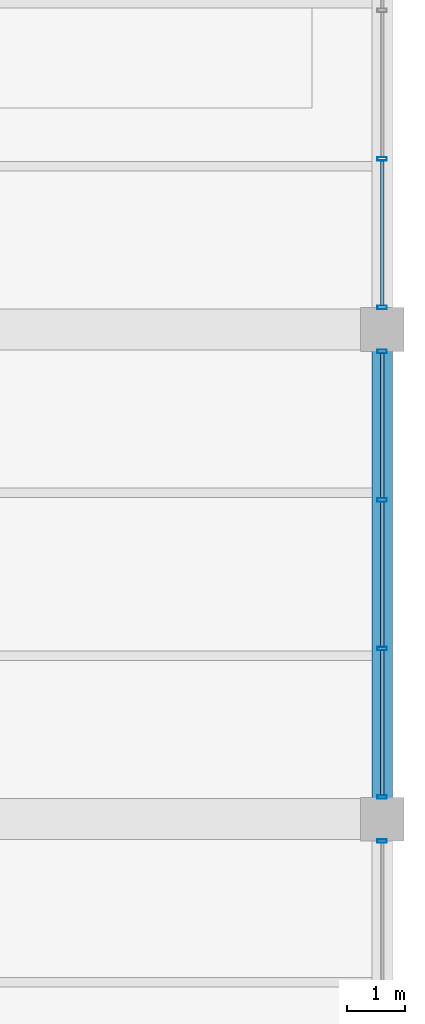
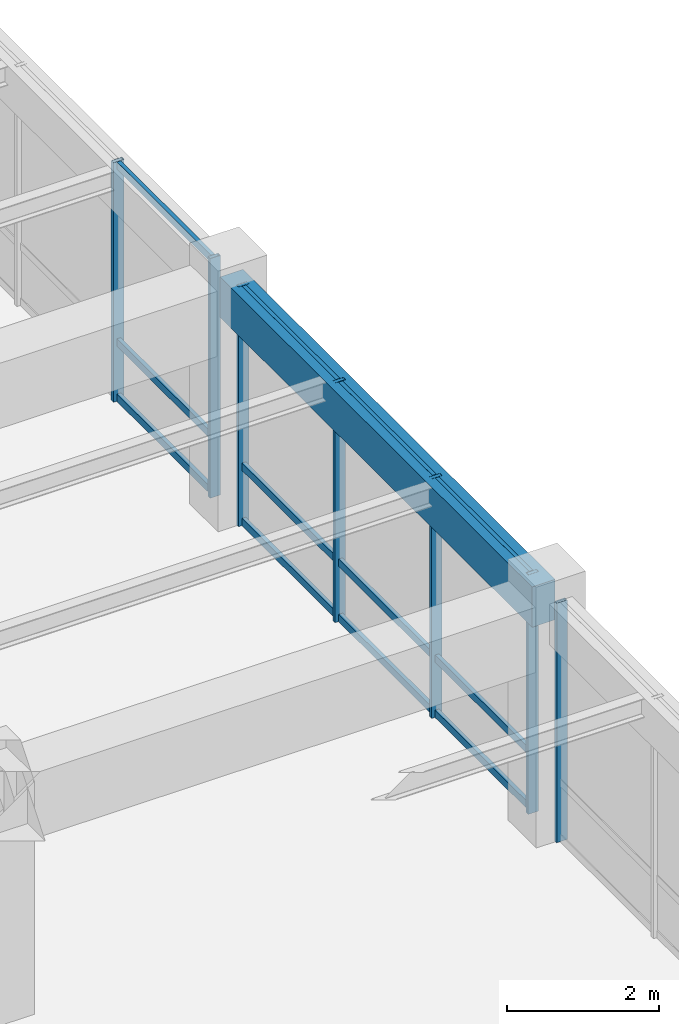
# One storey, part 101 of 152: 19 members, 1 beam, 3 elements without a shape of their own.
"""IFC4 building model written with IfcOpenShell, lengths in metres."""

from ifc_helpers import new_model, si_unit, direction, frame, origin, origin_2d, place, context, subcontext, project, spatial, rectangle, hollow_rectangle, extrude, material, material_profile, profile_set, type_object, element, aggregate, save


model = new_model("IFC4")

# Units and contexts
model_context = context("Model", 3, precision=1e-05, world=origin(), true_north=direction((0.0, 1.0)))
body_context = subcontext(model_context, "Body", "Model", "MODEL_VIEW")
ifc_project = project(units=[si_unit("LENGTHUNIT", "METRE"), si_unit("AREAUNIT", "SQUARE_METRE"), si_unit("VOLUMEUNIT", "CUBIC_METRE"), si_unit("PLANEANGLEUNIT", "RADIAN"), si_unit("MASSUNIT", "GRAM", prefix="KILO"), si_unit("THERMODYNAMICTEMPERATUREUNIT", "KELVIN"), si_unit("POWERUNIT", "WATT")], contexts=[model_context])

# Site, building, storey
site_placement = place(None, origin())
site = spatial("IfcSite", under=ifc_project, at=site_placement, CompositionType="ELEMENT")
building_placement = place(site_placement, origin())
building = spatial("IfcBuilding", under=site, at=building_placement, Name="Darbajah Civic Hall", CompositionType="ELEMENT")
storey_placement = place(building_placement, frame((0.0, 0.0, 5.39990234375)))
storey = spatial("IfcBuildingStorey", under=building, at=storey_placement, Name="L01", CompositionType="ELEMENT", Elevation=5.39990234375)

# Curtain wall, member
ifc_material_1 = material(Name="Anodised Bronze Aluminium and Low-E Glazing", Category="aluminium")
curtain_wall_type = type_object("IfcCurtainWallType", Name="Unitised Curtain Wall CW-96 7600x3850", PredefinedType="USERDEFINED", material=ifc_material_1)
curtain_wall_1_placement = place(storey_placement, origin())
curtain_wall_1 = element("IfcCurtainWall", 1, at=curtain_wall_1_placement, inside=storey, type_object=curtain_wall_type, Name="L01 unitised curtain wall CW-V4-L01-S1-B0", ObjectType="UNITISED CURTAIN WALL", PredefinedType="USERDEFINED")
ifc_material_2 = material(Name="Anodised Bronze Aluminium", Category="aluminium")
ifc_material_profile_1 = material_profile(ifc_material_2, hollow_rectangle(XDim=0.06005859375, YDim=0.159912109375, WallThickness=0.00341796875, at=origin_2d()), Name="ALU MULLION 60x160")
ifc_profile_set_1 = profile_set([ifc_material_profile_1], Name="Anodised Bronze Aluminium")
member_type_1 = type_object("IfcMemberType", Name="ALU MULLION 60x160", PredefinedType="MULLION", material=ifc_profile_set_1)
member_1_placement = place(storey_placement, frame((178.199951171875, 64.423095703125, 0.0), z_axis=(0.0, 0.0, 1.0), x_axis=(0.0, 1.0, 0.0)))
member_1 = element("IfcMember", 2, at=member_1_placement, type_object=member_type_1, Name="CW-V4-L01-S1-B0 mullion 4", PredefinedType="MULLION", context=body_context, shape_type="SweptSolid", body=[
    extrude(hollow_rectangle(XDim=0.06005859375, YDim=0.159912109375, WallThickness=0.00341796875, at=origin_2d()), origin(), (0.0, 0.0, 1.0), 3.860107421875),
])
aggregate(curtain_wall_1, [member_1])

# Curtain wall, members
curtain_wall_2_placement = place(storey_placement, origin())
curtain_wall_2 = element("IfcCurtainWall", 3, at=curtain_wall_2_placement, inside=storey, type_object=curtain_wall_type, Name="L01 unitised curtain wall CW-V4-L01-S1-B1", ObjectType="UNITISED CURTAIN WALL", PredefinedType="USERDEFINED")
member_2_placement = place(storey_placement, frame((178.199951171875, 65.177001953125, 0.0), z_axis=(0.0, 0.0, 1.0), x_axis=(0.0, 1.0, 0.0)))
member_2 = element("IfcMember", 4, at=member_2_placement, type_object=member_type_1, Name="CW-V4-L01-S1-B1 mullion 1", PredefinedType="MULLION", context=body_context, shape_type="SweptSolid", body=[
    extrude(hollow_rectangle(XDim=0.06005859375, YDim=0.159912109375, WallThickness=0.00341796875, at=origin_2d()), origin(), (0.0, 0.0, 1.0), 3.860107421875),
])
member_3_placement = place(storey_placement, frame((178.199951171875, 67.7255859375, 0.0), z_axis=(0.0, 0.0, 1.0), x_axis=(0.0, 1.0, 0.0)))
member_3 = element("IfcMember", 5, at=member_3_placement, type_object=member_type_1, Name="CW-V4-L01-S1-B1 mullion 2", PredefinedType="MULLION", context=body_context, shape_type="SweptSolid", body=[
    extrude(hollow_rectangle(XDim=0.06005859375, YDim=0.159912109375, WallThickness=0.00341796875, at=origin_2d()), origin(), (0.0, 0.0, 1.0), 3.860107421875),
])
member_4_placement = place(storey_placement, frame((178.199951171875, 70.2744140625, 0.0), z_axis=(0.0, 0.0, 1.0), x_axis=(0.0, 1.0, 0.0)))
member_4 = element("IfcMember", 6, at=member_4_placement, type_object=member_type_1, Name="CW-V4-L01-S1-B1 mullion 3", PredefinedType="MULLION", context=body_context, shape_type="SweptSolid", body=[
    extrude(hollow_rectangle(XDim=0.06005859375, YDim=0.159912109375, WallThickness=0.00341796875, at=origin_2d()), origin(), (0.0, 0.0, 1.0), 3.860107421875),
])
member_5_placement = place(storey_placement, frame((178.199951171875, 72.822998046875, 0.0), z_axis=(0.0, 0.0, 1.0), x_axis=(0.0, 1.0, 0.0)))
member_5 = element("IfcMember", 7, at=member_5_placement, type_object=member_type_1, Name="CW-V4-L01-S1-B1 mullion 4", PredefinedType="MULLION", context=body_context, shape_type="SweptSolid", body=[
    extrude(hollow_rectangle(XDim=0.06005859375, YDim=0.159912109375, WallThickness=0.00341796875, at=origin_2d()), origin(), (0.0, 0.0, 1.0), 3.860107421875),
])

curtain_wall_3_placement = place(storey_placement, origin())
curtain_wall_3 = element("IfcCurtainWall", 8, at=curtain_wall_3_placement, inside=storey, type_object=curtain_wall_type, Name="L01 unitised curtain wall CW-V4-L01-S1-B2", ObjectType="UNITISED CURTAIN WALL", PredefinedType="USERDEFINED")
member_6_placement = place(storey_placement, frame((178.199951171875, 73.576904296875, 0.0), z_axis=(0.0, 0.0, 1.0), x_axis=(0.0, 1.0, 0.0)))
member_6 = element("IfcMember", 9, at=member_6_placement, type_object=member_type_1, Name="CW-V4-L01-S1-B2 mullion 1", PredefinedType="MULLION", context=body_context, shape_type="SweptSolid", body=[
    extrude(hollow_rectangle(XDim=0.06005859375, YDim=0.159912109375, WallThickness=0.00341796875, at=origin_2d()), origin(), (0.0, 0.0, 1.0), 3.860107421875),
])
member_7_placement = place(storey_placement, frame((178.199951171875, 76.125732421875, 0.0), z_axis=(0.0, 0.0, 1.0), x_axis=(0.0, 1.0, 0.0)))
member_7 = element("IfcMember", 10, at=member_7_placement, type_object=member_type_1, Name="CW-V4-L01-S1-B2 mullion 2", PredefinedType="MULLION", context=body_context, shape_type="SweptSolid", body=[
    extrude(hollow_rectangle(XDim=0.06005859375, YDim=0.159912109375, WallThickness=0.00341796875, at=origin_2d()), origin(), (0.0, 0.0, 1.0), 3.860107421875),
])

# Member
ifc_material_profile_2 = material_profile(ifc_material_2, hollow_rectangle(XDim=0.06005859375, YDim=0.1201171875, WallThickness=0.003173828125, at=origin_2d()), Name="ALU TRANSOM 60x120")
ifc_profile_set_2 = profile_set([ifc_material_profile_2], Name="Anodised Bronze Aluminium")
member_type_2 = type_object("IfcMemberType", Name="ALU TRANSOM 60x120", PredefinedType="USERDEFINED", material=ifc_profile_set_2)
member_8_placement = place(storey_placement, frame((178.199951171875, 65.2119140625, 0.06005859375), z_axis=(0.0, 1.0, 0.0), x_axis=(-1.0, 0.0, 0.0)))
member_8 = element("IfcMember", 11, at=member_8_placement, type_object=member_type_2, Name="CW-V4-L01-S1-B1 transom 1.1", ObjectType="TRANSOM", PredefinedType="USERDEFINED", context=body_context, shape_type="SweptSolid", body=[
    extrude(hollow_rectangle(XDim=0.06005859375, YDim=0.1201171875, WallThickness=0.003173828125, at=origin_2d()), origin(), (0.0, 0.0, 1.0), 2.478759765625),
])

member_9_placement = place(storey_placement, frame((178.199951171875, 65.2119140625, 0.9501953125), z_axis=(0.0, 1.0, 0.0), x_axis=(-1.0, 0.0, 0.0)))
member_9 = element("IfcMember", 12, at=member_9_placement, type_object=member_type_2, Name="CW-V4-L01-S1-B1 transom 1.2", ObjectType="TRANSOM", PredefinedType="USERDEFINED", context=body_context, shape_type="SweptSolid", body=[
    extrude(hollow_rectangle(XDim=0.06005859375, YDim=0.1201171875, WallThickness=0.003173828125, at=origin_2d()), origin(), (0.0, 0.0, 1.0), 2.478759765625),
])

member_10_placement = place(storey_placement, frame((178.199951171875, 65.2119140625, 3.800048828125), z_axis=(0.0, 1.0, 0.0), x_axis=(-1.0, 0.0, 0.0)))
member_10 = element("IfcMember", 13, at=member_10_placement, type_object=member_type_2, Name="CW-V4-L01-S1-B1 transom 1.3", ObjectType="TRANSOM", PredefinedType="USERDEFINED", context=body_context, shape_type="SweptSolid", body=[
    extrude(hollow_rectangle(XDim=0.06005859375, YDim=0.1201171875, WallThickness=0.003173828125, at=origin_2d()), origin(), (0.0, 0.0, 1.0), 2.478759765625),
])

member_11_placement = place(storey_placement, frame((178.199951171875, 67.7607421875, 0.06005859375), z_axis=(0.0, 1.0, 0.0), x_axis=(-1.0, 0.0, 0.0)))
member_11 = element("IfcMember", 14, at=member_11_placement, type_object=member_type_2, Name="CW-V4-L01-S1-B1 transom 2.1", ObjectType="TRANSOM", PredefinedType="USERDEFINED", context=body_context, shape_type="SweptSolid", body=[
    extrude(hollow_rectangle(XDim=0.06005859375, YDim=0.1201171875, WallThickness=0.003173828125, at=origin_2d()), origin(), (0.0, 0.0, 1.0), 2.478515625),
])

member_12_placement = place(storey_placement, frame((178.199951171875, 67.7607421875, 0.9501953125), z_axis=(0.0, 1.0, 0.0), x_axis=(-1.0, 0.0, 0.0)))
member_12 = element("IfcMember", 15, at=member_12_placement, type_object=member_type_2, Name="CW-V4-L01-S1-B1 transom 2.2", ObjectType="TRANSOM", PredefinedType="USERDEFINED", context=body_context, shape_type="SweptSolid", body=[
    extrude(hollow_rectangle(XDim=0.06005859375, YDim=0.1201171875, WallThickness=0.003173828125, at=origin_2d()), origin(), (0.0, 0.0, 1.0), 2.478515625),
])

member_13_placement = place(storey_placement, frame((178.199951171875, 67.7607421875, 3.800048828125), z_axis=(0.0, 1.0, 0.0), x_axis=(-1.0, 0.0, 0.0)))
member_13 = element("IfcMember", 16, at=member_13_placement, type_object=member_type_2, Name="CW-V4-L01-S1-B1 transom 2.3", ObjectType="TRANSOM", PredefinedType="USERDEFINED", context=body_context, shape_type="SweptSolid", body=[
    extrude(hollow_rectangle(XDim=0.06005859375, YDim=0.1201171875, WallThickness=0.003173828125, at=origin_2d()), origin(), (0.0, 0.0, 1.0), 2.478515625),
])

member_14_placement = place(storey_placement, frame((178.199951171875, 70.309326171875, 0.06005859375), z_axis=(0.0, 1.0, 0.0), x_axis=(-1.0, 0.0, 0.0)))
member_14 = element("IfcMember", 17, at=member_14_placement, type_object=member_type_2, Name="CW-V4-L01-S1-B1 transom 3.1", ObjectType="TRANSOM", PredefinedType="USERDEFINED", context=body_context, shape_type="SweptSolid", body=[
    extrude(hollow_rectangle(XDim=0.06005859375, YDim=0.1201171875, WallThickness=0.003173828125, at=origin_2d()), origin(), (0.0, 0.0, 1.0), 2.478759765625),
])

member_15_placement = place(storey_placement, frame((178.199951171875, 70.309326171875, 0.9501953125), z_axis=(0.0, 1.0, 0.0), x_axis=(-1.0, 0.0, 0.0)))
member_15 = element("IfcMember", 18, at=member_15_placement, type_object=member_type_2, Name="CW-V4-L01-S1-B1 transom 3.2", ObjectType="TRANSOM", PredefinedType="USERDEFINED", context=body_context, shape_type="SweptSolid", body=[
    extrude(hollow_rectangle(XDim=0.06005859375, YDim=0.1201171875, WallThickness=0.003173828125, at=origin_2d()), origin(), (0.0, 0.0, 1.0), 2.478759765625),
])

member_16_placement = place(storey_placement, frame((178.199951171875, 70.309326171875, 3.800048828125), z_axis=(0.0, 1.0, 0.0), x_axis=(-1.0, 0.0, 0.0)))
member_16 = element("IfcMember", 19, at=member_16_placement, type_object=member_type_2, Name="CW-V4-L01-S1-B1 transom 3.3", ObjectType="TRANSOM", PredefinedType="USERDEFINED", context=body_context, shape_type="SweptSolid", body=[
    extrude(hollow_rectangle(XDim=0.06005859375, YDim=0.1201171875, WallThickness=0.003173828125, at=origin_2d()), origin(), (0.0, 0.0, 1.0), 2.478759765625),
])

aggregate(curtain_wall_2, [member_2, member_3, member_4, member_5, member_8, member_9, member_10, member_11, member_12, member_13, member_14, member_15, member_16])

member_17_placement = place(storey_placement, frame((178.199951171875, 73.612060546875, 0.06005859375), z_axis=(0.0, 1.0, 0.0), x_axis=(-1.0, 0.0, 0.0)))
member_17 = element("IfcMember", 20, at=member_17_placement, type_object=member_type_2, Name="CW-V4-L01-S1-B2 transom 1.1", ObjectType="TRANSOM", PredefinedType="USERDEFINED", context=body_context, shape_type="SweptSolid", body=[
    extrude(hollow_rectangle(XDim=0.06005859375, YDim=0.1201171875, WallThickness=0.003173828125, at=origin_2d()), origin(), (0.0, 0.0, 1.0), 2.478759765625),
])

member_18_placement = place(storey_placement, frame((178.199951171875, 73.612060546875, 0.9501953125), z_axis=(0.0, 1.0, 0.0), x_axis=(-1.0, 0.0, 0.0)))
member_18 = element("IfcMember", 21, at=member_18_placement, type_object=member_type_2, Name="CW-V4-L01-S1-B2 transom 1.2", ObjectType="TRANSOM", PredefinedType="USERDEFINED", context=body_context, shape_type="SweptSolid", body=[
    extrude(hollow_rectangle(XDim=0.06005859375, YDim=0.1201171875, WallThickness=0.003173828125, at=origin_2d()), origin(), (0.0, 0.0, 1.0), 2.478759765625),
])

member_19_placement = place(storey_placement, frame((178.199951171875, 73.612060546875, 3.800048828125), z_axis=(0.0, 1.0, 0.0), x_axis=(-1.0, 0.0, 0.0)))
member_19 = element("IfcMember", 22, at=member_19_placement, type_object=member_type_2, Name="CW-V4-L01-S1-B2 transom 1.3", ObjectType="TRANSOM", PredefinedType="USERDEFINED", context=body_context, shape_type="SweptSolid", body=[
    extrude(hollow_rectangle(XDim=0.06005859375, YDim=0.1201171875, WallThickness=0.003173828125, at=origin_2d()), origin(), (0.0, 0.0, 1.0), 2.478759765625),
])

aggregate(curtain_wall_3, [member_6, member_7, member_17, member_18, member_19])

# Beam
ifc_material_3 = material(Name="Concrete C45/55", Category="concrete")
ifc_material_profile_3 = material_profile(ifc_material_3, rectangle(XDim=0.35009765625, YDim=0.64990234375, at=origin_2d()), Name="RC SPANDREL 350x650")
ifc_profile_set_3 = profile_set([ifc_material_profile_3], Name="Concrete C45/55")
beam_type = type_object("IfcBeamType", Name="RC SPANDREL 350x650", PredefinedType="SPANDREL", material=ifc_profile_set_3)
beam_placement = place(storey_placement, frame((178.199951171875, 64.8798828125, 3.53515625), z_axis=(0.0, 1.0, 0.0), x_axis=(-1.0, 0.0, 0.0)))
element("IfcBeam", 23, at=beam_placement, inside=storey, type_object=beam_type, Name="L01 beam SP-3565", PredefinedType="SPANDREL", context=body_context, shape_type="SweptSolid", body=[
    extrude(rectangle(XDim=0.35009765625, YDim=0.64990234375, at=origin_2d()), origin(), (0.0, 0.0, 1.0), 8.240234375),
])

save(model, "model.ifc")
